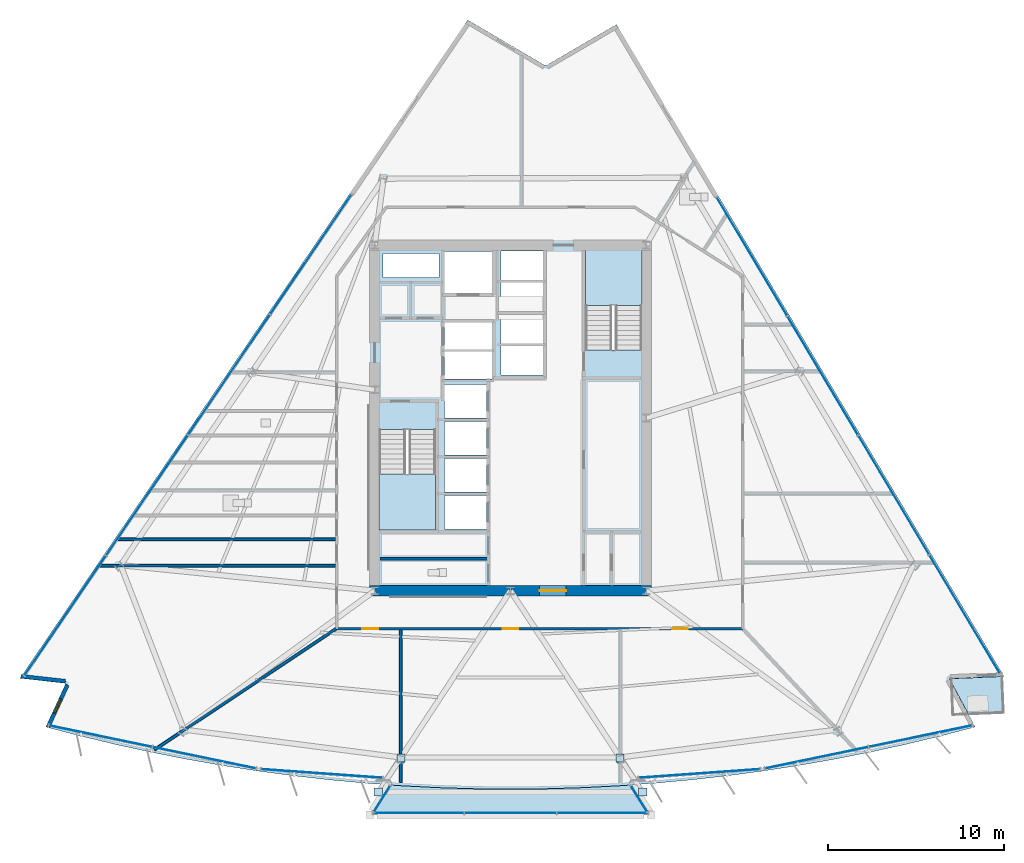
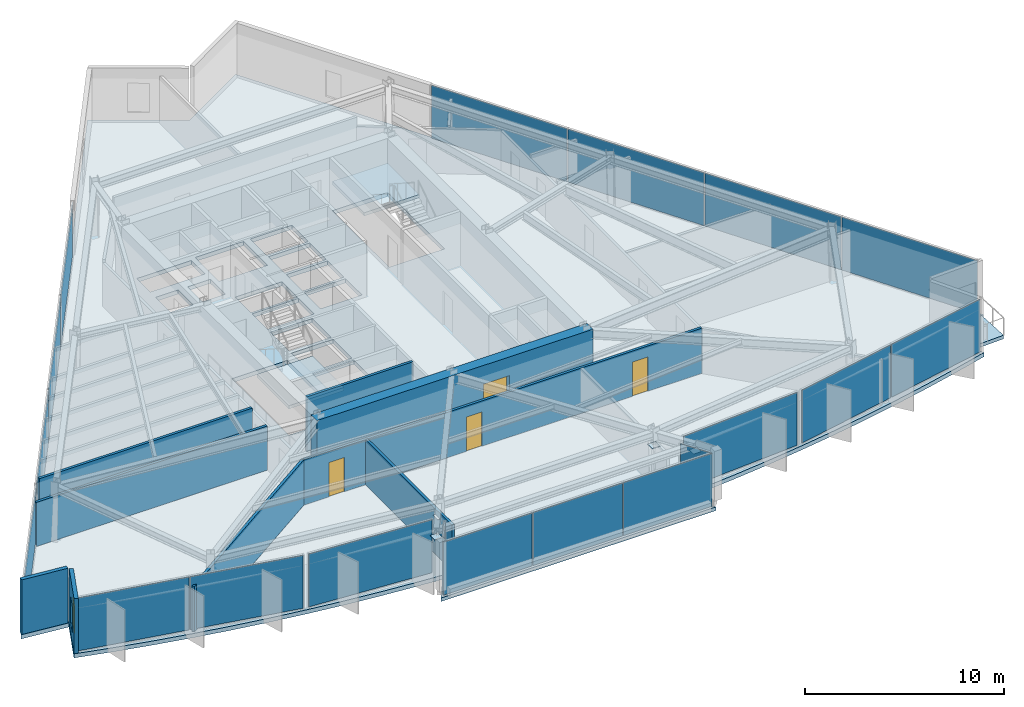
# One storey, part 7 of 15: 23 plates, 9 walls, 5 slabs, 4 doors, 1 window, 5 openings, 11 elements without a shape of their own.
"""IFC4 building model written with IfcOpenShell, lengths in metres."""

from ifc_helpers import new_model, si_unit, direction, frame, frame_2d, origin, origin_2d, place, context, subcontext, project, spatial, polyline, rectangle, outline, extrude, material, layer, layer_set, type_object, element, fill, aggregate, save


model = new_model("IFC4")

# Units and contexts
model_context = context("Model", 3, precision=1e-05, world=origin(), true_north=direction((0.0, 1.0)))
body_context = subcontext(model_context, "Body", "Model", "MODEL_VIEW")
ifc_project = project(units=[si_unit("LENGTHUNIT", "METRE"), si_unit("AREAUNIT", "SQUARE_METRE"), si_unit("VOLUMEUNIT", "CUBIC_METRE"), si_unit("PLANEANGLEUNIT", "RADIAN"), si_unit("MASSUNIT", "GRAM", prefix="KILO")], contexts=[model_context])

# Site, building, storey
site_placement = place(None, origin())
site = spatial("IfcSite", under=ifc_project, at=site_placement, CompositionType="ELEMENT")
building_placement = place(site_placement, origin())
building = spatial("IfcBuilding", under=site, at=building_placement, Name="Savorim Split Tower", CompositionType="ELEMENT")
storey_placement = place(building_placement, frame((0.0, 0.0, 114.89990234375)))
storey = spatial("IfcBuildingStorey", under=building, at=storey_placement, Name="L30", CompositionType="ELEMENT", Elevation=114.89990234375)

# Curtain wall, plates
ifc_material_1 = material(Name="Dark Ceramic-Fritted Insulated Glass", Category="glass")
curtain_wall_type_1 = type_object("IfcCurtainWallType", Name="CW-TWR-FRIT-A", PredefinedType="NOTDEFINED", material=ifc_material_1)
curtain_wall_1_placement = place(storey_placement, origin())
curtain_wall_1 = element("IfcCurtainWall", 1, at=curtain_wall_1_placement, inside=storey, type_object=curtain_wall_type_1, Name="L30 Curtain Wall CW-L30-SF1A", PredefinedType="NOTDEFINED")
ifc_layer_1 = layer(ifc_material_1, 0.028076171875)
ifc_layer_set_1 = layer_set([ifc_layer_1], Name="CWP-FRITA-28")
plate_type_1 = type_object("IfcPlateType", Name="CWP-FRITA-28", PredefinedType="CURTAIN_PANEL", material=ifc_layer_set_1)
plate_1_placement = place(storey_placement, frame((-23.2548828125, -17.645751953125, 0.05517578125), z_axis=(0.0, 0.0, 1.0), x_axis=(0.979133868491, -0.203216307351, 0.0)))
plate_1 = element("IfcPlate", 2, at=plate_1_placement, type_object=plate_type_1, Name="CW-02 panel 1.1", PredefinedType="CURTAIN_PANEL", context=body_context, shape_type="SweptSolid", body=[
    extrude(rectangle(XDim=5.952880859375, YDim=0.028076171875, at=origin_2d()), origin(), (0.0, 0.0, 1.0), 3.239990234375),
])
plate_2_placement = place(storey_placement, frame((-17.362548828125, -18.86865234375, 0.05517578125), z_axis=(0.0, 0.0, 1.0), x_axis=(0.979133868491, -0.203216307351, 0.0)))
plate_2 = element("IfcPlate", 3, at=plate_2_placement, type_object=plate_type_1, Name="CW-02 panel 2.1", PredefinedType="CURTAIN_PANEL", context=body_context, shape_type="SweptSolid", body=[
    extrude(rectangle(XDim=5.952880859375, YDim=0.028076171875, at=origin_2d()), origin(), (0.0, 0.0, 1.0), 3.239990234375),
])
aggregate(curtain_wall_1, [plate_1, plate_2])

# Curtain wall, plate
curtain_wall_2_placement = place(storey_placement, origin())
curtain_wall_2 = element("IfcCurtainWall", 4, at=curtain_wall_2_placement, inside=storey, type_object=curtain_wall_type_1, Name="L30 Curtain Wall CW-L30-SF2A", PredefinedType="NOTDEFINED")
plate_3_placement = place(storey_placement, frame((-10.7119140625, -19.762451171875, 0.05517578125), z_axis=(0.0, 0.0, 1.0), x_axis=(0.997437115176, -0.071548593758, 0.0)))
plate_3 = element("IfcPlate", 5, at=plate_3_placement, type_object=plate_type_1, Name="CW-02 panel 1.1", PredefinedType="CURTAIN_PANEL", context=body_context, shape_type="SweptSolid", body=[
    extrude(rectangle(XDim=6.869384765625, YDim=0.028076171875, at=origin_2d()), origin(), (0.0, 0.0, 1.0), 3.239990234375),
])
aggregate(curtain_wall_2, [plate_3])

curtain_wall_3_placement = place(storey_placement, origin())
curtain_wall_3 = element("IfcCurtainWall", 6, at=curtain_wall_3_placement, inside=storey, type_object=curtain_wall_type_1, Name="L30 Curtain Wall CW-L30-SF3A", PredefinedType="NOTDEFINED")
plate_4_placement = place(storey_placement, frame((10.7119140625, -19.762451171875, 0.05517578125), z_axis=(0.0, 0.0, 1.0), x_axis=(0.997437115176, 0.071548593758, 0.0)))
plate_4 = element("IfcPlate", 7, at=plate_4_placement, type_object=plate_type_1, Name="CW-02 panel 1.1", PredefinedType="CURTAIN_PANEL", context=body_context, shape_type="SweptSolid", body=[
    extrude(rectangle(XDim=6.869384765625, YDim=0.028076171875, at=origin_2d()), origin(), (0.0, 0.0, 1.0), 3.239990234375),
])
aggregate(curtain_wall_3, [plate_4])

# Curtain wall, plates
curtain_wall_4_placement = place(storey_placement, origin())
curtain_wall_4 = element("IfcCurtainWall", 8, at=curtain_wall_4_placement, inside=storey, type_object=curtain_wall_type_1, Name="L30 Curtain Wall CW-L30-SF4A", PredefinedType="NOTDEFINED")
plate_5_placement = place(storey_placement, frame((17.362548828125, -18.86865234375, 0.05517578125), z_axis=(0.0, 0.0, 1.0), x_axis=(0.979133868491, 0.203216307351, 0.0)))
plate_5 = element("IfcPlate", 9, at=plate_5_placement, type_object=plate_type_1, Name="CW-02 panel 1.1", PredefinedType="CURTAIN_PANEL", context=body_context, shape_type="SweptSolid", body=[
    extrude(rectangle(XDim=5.952880859375, YDim=0.028076171875, at=origin_2d()), origin(), (0.0, 0.0, 1.0), 3.239990234375),
])
plate_6_placement = place(storey_placement, frame((23.2548828125, -17.645751953125, 0.05517578125), z_axis=(0.0, 0.0, 1.0), x_axis=(0.979133868491, 0.203216307351, 0.0)))
plate_6 = element("IfcPlate", 10, at=plate_6_placement, type_object=plate_type_1, Name="CW-02 panel 2.1", PredefinedType="CURTAIN_PANEL", context=body_context, shape_type="SweptSolid", body=[
    extrude(rectangle(XDim=5.952880859375, YDim=0.028076171875, at=origin_2d()), origin(), (0.0, 0.0, 1.0), 3.239990234375),
])
aggregate(curtain_wall_4, [plate_5, plate_6])

curtain_wall_5_placement = place(storey_placement, origin())
curtain_wall_5 = element("IfcCurtainWall", 11, at=curtain_wall_5_placement, inside=storey, type_object=curtain_wall_type_1, Name="L30 Curtain Wall CW-L30-EAST", PredefinedType="NOTDEFINED")
plate_7_placement = place(storey_placement, frame((25.752197265625, -10.72705078125, 0.05517578125), z_axis=(0.0, 0.0, 1.0), x_axis=(-0.51109301502, 0.859525409745, 0.0)))
plate_7 = element("IfcPlate", 12, at=plate_7_placement, type_object=plate_type_1, Name="CW-02 panel 1.1", PredefinedType="CURTAIN_PANEL", context=body_context, shape_type="SweptSolid", body=[
    extrude(rectangle(XDim=7.777587890625, YDim=0.028076171875, at=origin_2d()), origin(), (0.0, 0.0, 1.0), 3.239990234375),
])
plate_8_placement = place(storey_placement, frame((21.735595703125, -3.972412109375, 0.05517578125), z_axis=(0.0, 0.0, 1.0), x_axis=(-0.51109301502, 0.859525409745, 0.0)))
plate_8 = element("IfcPlate", 13, at=plate_8_placement, type_object=plate_type_1, Name="CW-02 panel 2.1", PredefinedType="CURTAIN_PANEL", context=body_context, shape_type="SweptSolid", body=[
    extrude(rectangle(XDim=7.81005859375, YDim=0.028076171875, at=origin_2d()), origin(), (0.0, 0.0, 1.0), 3.239990234375),
])
plate_9_placement = place(storey_placement, frame((17.710693359375, 2.79638671875, 0.05517578125), z_axis=(0.0, 0.0, 1.0), x_axis=(-0.51109301502, 0.859525409745, 0.0)))
plate_9 = element("IfcPlate", 14, at=plate_9_placement, type_object=plate_type_1, Name="CW-02 panel 3.1", PredefinedType="CURTAIN_PANEL", context=body_context, shape_type="SweptSolid", body=[
    extrude(rectangle(XDim=7.81005859375, YDim=0.028076171875, at=origin_2d()), origin(), (0.0, 0.0, 1.0), 3.239990234375),
])
plate_10_placement = place(storey_placement, frame((13.6943359375, 9.55126953125, 0.05517578125), z_axis=(0.0, 0.0, 1.0), x_axis=(-0.51109301502, 0.859525409745, 0.0)))
plate_10 = element("IfcPlate", 15, at=plate_10_placement, type_object=plate_type_1, Name="CW-02 panel 4.1", PredefinedType="CURTAIN_PANEL", context=body_context, shape_type="SweptSolid", body=[
    extrude(rectangle(XDim=7.777587890625, YDim=0.028076171875, at=origin_2d()), origin(), (0.0, 0.0, 1.0), 3.239990234375),
])
aggregate(curtain_wall_5, [plate_7, plate_8, plate_9, plate_10])

curtain_wall_6_placement = place(storey_placement, origin())
curtain_wall_6 = element("IfcCurtainWall", 16, at=curtain_wall_6_placement, inside=storey, type_object=curtain_wall_type_1, Name="L30 Curtain Wall CW-L30-WEST", PredefinedType="NOTDEFINED")
plate_11_placement = place(storey_placement, frame((-11.3193359375, 9.67529296875, 0.05517578125), z_axis=(0.0, 0.0, 1.0), x_axis=(-0.562466669628, -0.826819959579, 0.0)))
plate_11 = element("IfcPlate", 17, at=plate_11_placement, type_object=plate_type_1, Name="CW-02 panel 1.1", PredefinedType="CURTAIN_PANEL", context=body_context, shape_type="SweptSolid", body=[
    extrude(rectangle(XDim=8.174072265625, YDim=0.028076171875, at=origin_2d()), origin(), (0.0, 0.0, 1.0), 3.239990234375),
])
plate_12_placement = place(storey_placement, frame((-15.962646484375, 2.849609375, 0.05517578125), z_axis=(0.0, 0.0, 1.0), x_axis=(-0.562466669628, -0.826819959579, 0.0)))
plate_12 = element("IfcPlate", 18, at=plate_12_placement, type_object=plate_type_1, Name="CW-02 panel 2.1", PredefinedType="CURTAIN_PANEL", context=body_context, shape_type="SweptSolid", body=[
    extrude(rectangle(XDim=8.20654296875, YDim=0.028076171875, at=origin_2d()), origin(), (0.0, 0.0, 1.0), 3.239990234375),
])
plate_13_placement = place(storey_placement, frame((-20.615234375, -3.989501953125, 0.05517578125), z_axis=(0.0, 0.0, 1.0), x_axis=(-0.562466669628, -0.826819959579, 0.0)))
plate_13 = element("IfcPlate", 19, at=plate_13_placement, type_object=plate_type_1, Name="CW-02 panel 3.1", PredefinedType="CURTAIN_PANEL", context=body_context, shape_type="SweptSolid", body=[
    extrude(rectangle(XDim=8.20654296875, YDim=0.028076171875, at=origin_2d()), origin(), (0.0, 0.0, 1.0), 3.239990234375),
])
plate_14_placement = place(storey_placement, frame((-25.258544921875, -10.815185546875, 0.05517578125), z_axis=(0.0, 0.0, 1.0), x_axis=(-0.562466669628, -0.826819959579, 0.0)))
plate_14 = element("IfcPlate", 20, at=plate_14_placement, type_object=plate_type_1, Name="CW-02 panel 4.1", PredefinedType="CURTAIN_PANEL", context=body_context, shape_type="SweptSolid", body=[
    extrude(rectangle(XDim=8.174072265625, YDim=0.028076171875, at=origin_2d()), origin(), (0.0, 0.0, 1.0), 3.239990234375),
])
aggregate(curtain_wall_6, [plate_11, plate_12, plate_13, plate_14])

curtain_wall_type_2 = type_object("IfcCurtainWallType", Name="CW-BAY-LOUNGE", PredefinedType="NOTDEFINED", material=ifc_material_1)
curtain_wall_7_placement = place(storey_placement, origin())
curtain_wall_7 = element("IfcCurtainWall", 21, at=curtain_wall_7_placement, inside=storey, type_object=curtain_wall_type_2, Name="L30 Curtain Wall CW-L30-BAYF", PredefinedType="NOTDEFINED")
ifc_material_2 = material(Name="Low-E Operable Double Glazing", Category="glass")
ifc_layer_2 = layer(ifc_material_2, 0.031982421875)
ifc_layer_set_2 = layer_set([ifc_layer_2], Name="CWP-POD-32")
plate_type_2 = type_object("IfcPlateType", Name="CWP-POD-32", PredefinedType="CURTAIN_PANEL", material=ifc_layer_set_2)
plate_15_placement = place(storey_placement, frame((-5.215087890625, -21.99951171875, 0.05517578125), z_axis=(0.0, 0.0, 1.0), x_axis=(1.0, 0.0, 0.0)))
plate_15 = element("IfcPlate", 22, at=plate_15_placement, type_object=plate_type_2, Name="CW-04 panel 1.1", PredefinedType="CURTAIN_PANEL", context=body_context, shape_type="SweptSolid", body=[
    extrude(rectangle(XDim=5.1337890625, YDim=0.031982421875, at=origin_2d()), origin(), (0.0, 0.0, 1.0), 3.239990234375),
])
plate_16_placement = place(storey_placement, frame((0.0, -21.99951171875, 0.05517578125), z_axis=(0.0, 0.0, 1.0), x_axis=(1.0, 0.0, 0.0)))
plate_16 = element("IfcPlate", 23, at=plate_16_placement, type_object=plate_type_2, Name="CW-04 panel 2.1", PredefinedType="CURTAIN_PANEL", context=body_context, shape_type="SweptSolid", body=[
    extrude(rectangle(XDim=5.166259765625, YDim=0.031982421875, at=origin_2d()), origin(), (0.0, 0.0, 1.0), 3.239990234375),
])
plate_17_placement = place(storey_placement, frame((5.215087890625, -21.99951171875, 0.05517578125), z_axis=(0.0, 0.0, 1.0), x_axis=(1.0, 0.0, 0.0)))
plate_17 = element("IfcPlate", 24, at=plate_17_placement, type_object=plate_type_2, Name="CW-04 panel 3.1", PredefinedType="CURTAIN_PANEL", context=body_context, shape_type="SweptSolid", body=[
    extrude(rectangle(XDim=5.1337890625, YDim=0.031982421875, at=origin_2d()), origin(), (0.0, 0.0, 1.0), 3.239990234375),
])
aggregate(curtain_wall_7, [plate_15, plate_16, plate_17])

# Curtain wall, plate
curtain_wall_8_placement = place(storey_placement, origin())
curtain_wall_8 = element("IfcCurtainWall", 25, at=curtain_wall_8_placement, inside=storey, type_object=curtain_wall_type_2, Name="L30 Curtain Wall CW-L30-BAYW", PredefinedType="NOTDEFINED")
plate_18_placement = place(storey_placement, frame((-7.28564453125, -21.20166015625, 0.05517578125), z_axis=(0.0, 0.0, 1.0), x_axis=(-0.531384496432, -0.847130755522, 0.0)))
plate_18 = element("IfcPlate", 26, at=plate_18_placement, type_object=plate_type_2, Name="CW-04 panel 1.1", PredefinedType="CURTAIN_PANEL", context=body_context, shape_type="SweptSolid", body=[
    extrude(rectangle(XDim=1.705078125, YDim=0.031982421875, at=origin_2d()), origin(), (0.0, 0.0, 1.0), 3.239990234375),
])
aggregate(curtain_wall_8, [plate_18])

curtain_wall_9_placement = place(storey_placement, origin())
curtain_wall_9 = element("IfcCurtainWall", 27, at=curtain_wall_9_placement, inside=storey, type_object=curtain_wall_type_2, Name="L30 Curtain Wall CW-L30-BAYE", PredefinedType="NOTDEFINED")
plate_19_placement = place(storey_placement, frame((7.28564453125, -21.20166015625, 0.05517578125), z_axis=(0.0, 0.0, 1.0), x_axis=(-0.531384496432, 0.847130755522, 0.0)))
plate_19 = element("IfcPlate", 28, at=plate_19_placement, type_object=plate_type_2, Name="CW-04 panel 1.1", PredefinedType="CURTAIN_PANEL", context=body_context, shape_type="SweptSolid", body=[
    extrude(rectangle(XDim=1.705078125, YDim=0.031982421875, at=origin_2d()), origin(), (0.0, 0.0, 1.0), 3.239990234375),
])
aggregate(curtain_wall_9, [plate_19])

# Plates
ifc_material_3 = material(Name="Steel S460", Category="steel")
ifc_layer_3 = layer(ifc_material_3, 0.02490234375)
ifc_layer_set_3 = layer_set([ifc_layer_3], Name="PLT-NODE-CN1")
plate_type_3 = type_object("IfcPlateType", Name="PLT-NODE-CN1", PredefinedType="SHEET", material=ifc_layer_set_3)
for number, where, z_axis, x_axis, name in (
    (29, (-6.21728515625, -18.8955078125, 2.437744140625), (0.0, 0.0, 1.0), (1.0, 0.0, 0.0), "L30 Bay Strut Column Gusset Plate 1"),
    (30, (-7.49951171875, -20.8193359375, 2.8076171875), (0.0, 0.0, 1.0), (1.0, 0.0, 0.0), "L30 Bay Strut Tip Gusset Plate 1"),
    (31, (6.21728515625, -18.8955078125, 2.437744140625), (0.0, 0.0, 1.0), (1.0, 0.0, 0.0), "L30 Bay Strut Column Gusset Plate 2"),
    (32, (7.49951171875, -20.8193359375, 2.8076171875), (0.0, 0.0, 1.0), (1.0, 0.0, 0.0), "L30 Bay Strut Tip Gusset Plate 2"),
):
    element("IfcPlate", number, at=place(storey_placement, frame(where, z_axis=z_axis, x_axis=x_axis)), inside=storey, type_object=plate_type_3, Name=name, PredefinedType="SHEET", context=body_context, shape_type="SweptSolid", body=[
        extrude(rectangle(XDim=0.4599609375, YDim=0.4599609375, at=origin_2d()), origin(), (0.0, 0.0, 1.0), 0.02490234375),
    ])

# Slabs
ifc_material_4 = material(Name="Concrete C50/60", Category="concrete")
ifc_layer_4 = layer(ifc_material_4, 0.219970703125)
ifc_layer_set_4 = layer_set([ifc_layer_4], Name="SLB-BAL-220")
slab_type_1 = type_object("IfcSlabType", Name="SLB-BAL-220", PredefinedType="FLOOR", material=ifc_layer_set_4)
slab_1_placement = place(storey_placement, frame((0.0, 0.0, -0.219970703125)))
element("IfcSlab", 33, at=slab_1_placement, inside=storey, type_object=slab_type_1, Name="L30 Cantilevered Shared Kitchen Lounge Slab", PredefinedType="FLOOR", context=body_context, shape_type="SweptSolid", body=[
    extrude(outline(polyline([(6.906005859375, -20.408203125), (6.150390625, -20.46240234375), (4.101806640625, -20.5673828125), (2.05126953125, -20.630126953125), (0.0, -20.651123046875), (-2.05126953125, -20.630126953125), (-4.101806640625, -20.5673828125), (-6.150390625, -20.46240234375), (-6.906005859375, -20.408203125), (-7.967041015625, -22.099609375), (7.967041015625, -22.099609375), (6.906005859375, -20.408203125)])), origin(), (0.0, 0.0, 1.0), 0.219970703125),
])
slab_2_placement = place(storey_placement, frame((0.0, 0.0, -0.219970703125)))
element("IfcSlab", 34, at=slab_2_placement, inside=storey, type_object=slab_type_1, Name="L30 Notched Corner Planted Tree Balcony Slab", PredefinedType="FLOOR", context=body_context, shape_type="SweptSolid", body=[
    extrude(outline(polyline([(27.868896484375, -14.263427734375), (25.00537109375, -14.38525390625), (25.01513671875, -14.616943359375), (25.96728515625, -16.39111328125), (27.955810546875, -16.306396484375), (27.868896484375, -14.263427734375)])), origin(), (0.0, 0.0, 1.0), 0.219970703125),
])

# Stair, slab
stair_type = type_object("IfcStairType", Name="STR-DOG-3600", PredefinedType="HALF_TURN_STAIR", material=ifc_material_4)
stair_1_placement = place(storey_placement, origin())
stair_1 = element("IfcStair", 35, at=stair_1_placement, inside=storey, type_object=stair_type, Name="L30 Core Protected Exit Stair ST-1", PredefinedType="HALF_TURN_STAIR")
ifc_layer_5 = layer(ifc_material_4, 0.199951171875)
ifc_layer_set_5 = layer_set([ifc_layer_5], Name="SLB-LND-200")
slab_type_2 = type_object("IfcSlabType", Name="SLB-LND-200", PredefinedType="LANDING", material=ifc_layer_set_5)
slab_3_placement = place(storey_placement, frame((0.0, 0.0, 1.60009765625)))
slab_3 = element("IfcSlab", 36, at=slab_3_placement, type_object=slab_type_2, Name="ST-1 landing 1", PredefinedType="LANDING", context=body_context, shape_type="SweptSolid", body=[
    extrude(outline(polyline([(-7.449951171875, -2.77001953125), (-7.449951171875, -5.949951171875), (-4.25, -5.949951171875), (-4.25, -2.77001953125), (-7.449951171875, -2.77001953125)])), origin(), (0.0, 0.0, 1.0), 0.199951171875),
])
aggregate(stair_1, [slab_3])

stair_2_placement = place(storey_placement, origin())
stair_2 = element("IfcStair", 37, at=stair_2_placement, inside=storey, type_object=stair_type, Name="L30 Core Protected Exit Stair ST-2", PredefinedType="HALF_TURN_STAIR")
slab_4_placement = place(storey_placement, frame((0.0, 0.0, 1.60009765625)))
slab_4 = element("IfcSlab", 38, at=slab_4_placement, type_object=slab_type_2, Name="ST-2 landing 1", PredefinedType="LANDING", context=body_context, shape_type="SweptSolid", body=[
    extrude(outline(polyline([(7.449951171875, 6.77001953125), (7.449951171875, 9.949951171875), (4.25, 9.949951171875), (4.25, 6.77001953125), (7.449951171875, 6.77001953125)])), origin(), (0.0, 0.0, 1.0), 0.199951171875),
])
aggregate(stair_2, [slab_4])

# Slab
ifc_layer_6 = layer(ifc_material_4, 0.25)
ifc_layer_set_6 = layer_set([ifc_layer_6], Name="SLB-TWR-250")
slab_type_3 = type_object("IfcSlabType", Name="SLB-TWR-250", PredefinedType="FLOOR", material=ifc_layer_set_6)
slab_5_placement = place(storey_placement, frame((0.0, 0.0, -0.25)))
element("IfcSlab", 39, at=slab_5_placement, inside=storey, type_object=slab_type_3, Name="L30 Structural Floor Slab", PredefinedType="FLOOR", context=body_context, shape_type="SweptSolid", body=[
    extrude(outline(polyline([(-26.355224609375, -17.124755859375), (-24.37060546875, -17.643798828125), (-22.375732421875, -18.1220703125), (-20.37158203125, -18.5595703125), (-18.358642578125, -18.955810546875), (-16.33837890625, -19.310791015625), (-14.31103515625, -19.62451171875), (-12.277587890625, -19.896484375), (-10.2392578125, -20.126953125), (-8.196533203125, -20.315673828125), (-6.150390625, -20.46240234375), (-4.101806640625, -20.5673828125), (-2.05126953125, -20.630126953125), (0.0, -20.651123046875), (2.05126953125, -20.630126953125), (4.101806640625, -20.5673828125), (6.150390625, -20.46240234375), (8.196533203125, -20.315673828125), (10.2392578125, -20.126953125), (12.277587890625, -19.896484375), (14.31103515625, -19.62451171875), (16.33837890625, -19.310791015625), (18.358642578125, -18.955810546875), (20.37158203125, -18.5595703125), (22.375732421875, -18.1220703125), (24.37060546875, -17.643798828125), (26.355224609375, -17.124755859375), (24.88525390625, -14.38525390625), (27.988525390625, -14.25341796875), (6.0078125, 22.712890625), (1.9951171875, 20.374267578125), (-2.420654296875, 22.969482421875), (-27.81689453125, -14.362548828125), (-25.21923828125, -14.652587890625), (-26.355224609375, -17.124755859375)]), holes=[polyline([(-7.449951171875, -0.25390625), (-7.449951171875, -5.949951171875), (-4.25, -5.949951171875), (-4.25, -0.25390625), (-7.449951171875, -0.25390625)]), polyline([(7.449951171875, 4.25390625), (7.449951171875, 9.949951171875), (4.25, 9.949951171875), (4.25, 4.25390625), (7.449951171875, 4.25390625)]), polyline([(-3.75, -5.89990234375), (-1.35009765625, -5.89990234375), (-1.35009765625, -4.0), (-3.75, -4.0), (-3.75, -5.89990234375)]), polyline([(-3.75, -3.800048828125), (-1.35009765625, -3.800048828125), (-1.35009765625, -1.89990234375), (-3.75, -1.89990234375), (-3.75, -3.800048828125)]), polyline([(-3.75, -1.699951171875), (-1.35009765625, -1.699951171875), (-1.35009765625, 0.199951171875), (-3.75, 0.199951171875), (-3.75, -1.699951171875)]), polyline([(-3.75, 0.39990234375), (-1.35009765625, 0.39990234375), (-1.35009765625, 2.300048828125), (-3.75, 2.300048828125), (-3.75, 0.39990234375)]), polyline([(-0.550048828125, 2.830078125), (1.85009765625, 2.830078125), (1.85009765625, 4.469970703125), (-0.550048828125, 4.469970703125), (-0.550048828125, 2.830078125)]), polyline([(-0.550048828125, 4.6298828125), (1.85009765625, 4.6298828125), (1.85009765625, 6.27001953125), (-0.550048828125, 6.27001953125), (-0.550048828125, 4.6298828125)]), polyline([(-0.550048828125, 6.429931640625), (1.85009765625, 6.429931640625), (1.85009765625, 8.070068359375), (-0.550048828125, 8.070068359375), (-0.550048828125, 6.429931640625)]), polyline([(-0.550048828125, 8.22998046875), (1.85009765625, 8.22998046875), (1.85009765625, 9.8701171875), (-0.550048828125, 9.8701171875), (-0.550048828125, 8.22998046875)]), polyline([(-3.75, 2.60009765625), (-1.050048828125, 2.60009765625), (-1.050048828125, 4.159912109375), (-3.75, 4.159912109375), (-3.75, 2.60009765625)]), polyline([(-3.75, 4.280029296875), (-1.050048828125, 4.280029296875), (-1.050048828125, 5.840087890625), (-3.75, 5.840087890625), (-3.75, 4.280029296875)]), polyline([(-3.75, 7.449951171875), (-0.949951171875, 7.449951171875), (-0.949951171875, 9.85009765625), (-3.75, 9.85009765625), (-3.75, 7.449951171875)]), polyline([(-7.219970703125, 6.320068359375), (-5.919921875, 6.320068359375), (-5.919921875, 7.820068359375), (-7.219970703125, 7.820068359375), (-7.219970703125, 6.320068359375)]), polyline([(-5.3798828125, 6.320068359375), (-4.050048828125, 6.320068359375), (-4.050048828125, 7.820068359375), (-5.3798828125, 7.820068359375), (-5.3798828125, 6.320068359375)]), polyline([(-7.219970703125, 8.360107421875), (-4.050048828125, 8.360107421875), (-4.050048828125, 9.719970703125), (-7.219970703125, 9.719970703125), (-7.219970703125, 8.360107421875)])]), origin(), (0.0, 0.0, 1.0), 0.25),
])

# Wall, opening, door
ifc_material_5 = material(Name="Concrete C60/75", Category="concrete")
ifc_layer_7 = layer(ifc_material_5, 0.60009765625)
ifc_layer_set_7 = layer_set([ifc_layer_7], Name="WAL-COR-SH600")
wall_type_1 = type_object("IfcWallType", Name="WAL-COR-SH600", PredefinedType="SHEAR", material=ifc_layer_set_7)
wall_1_placement = place(storey_placement, frame((-8.0, -9.39990234375, 0.0), z_axis=(0.0, 0.0, 1.0), x_axis=(1.0, 0.0, 0.0)))
wall_1 = element("IfcWall", 40, at=wall_1_placement, inside=storey, type_object=wall_type_1, Name="L30 Offset Core South Shear Wall", PredefinedType="SHEAR", context=body_context, shape_type="SweptSolid", body=[
    extrude(rectangle(XDim=16.0, YDim=0.60009765625, at=frame_2d((8.0, 0.0))), origin(), (0.0, 0.0, 1.0), 3.35009765625),
])
opening_1_placement = place(wall_1_placement, frame((9.64990234375, 0.0, 0.0)))
opening_1 = element("IfcOpeningElement", 41, at=opening_1_placement, cuts=wall_1, Name="Opening DI-02", PredefinedType="OPENING", context=body_context, shape_type="SweptSolid", body=[
    extrude(rectangle(XDim=1.5, YDim=2.199951171875, at=frame_2d((0.75, 1.10009765625))), frame((0.0, 0.31005859375, 0.0), z_axis=(0.0, -1.0, 0.0), x_axis=(1.0, 0.0, 0.0)), (0.0, 0.0, 1.0), 0.6201171875),
])
ifc_material_6 = material(Name="Timber Fire Door Leaf", Category="wood")
door_type_1 = type_object("IfcDoorType", Name="DOR-DBL-1500", OperationType="NOTDEFINED", PredefinedType="DOOR", material=ifc_material_6)
door_1_placement = place(opening_1_placement, origin())
door_1 = element("IfcDoor", 42, at=door_1_placement, inside=storey, type_object=door_type_1, Name="DOR-L30-COR-LLOB - L30 Lift Lobby Main Rated Door", OperationType="DOUBLE_DOOR_SINGLE_SWING", OverallHeight=2.199951171875, OverallWidth=1.5, PredefinedType="DOOR", context=body_context, shape_type="SweptSolid", body=[
    extrude(rectangle(XDim=1.5, YDim=2.199951171875, at=frame_2d((0.75, 1.10009765625))), frame((0.0, 0.02490234375, 0.0), z_axis=(0.0, -1.0, 0.0), x_axis=(1.0, 0.0, 0.0)), (0.0, 0.0, 1.0), 0.050048828125),
])
fill(opening_1, door_1)

# Wall
ifc_material_7 = material(Name="Precast concrete C40/50", Category="concrete")
ifc_layer_8 = layer(ifc_material_7, 0.219970703125)
ifc_layer_set_8 = layer_set([ifc_layer_8], Name="WAL-EXT-CRN220")
wall_type_2 = type_object("IfcWallType", Name="WAL-EXT-CRN220", PredefinedType="SOLIDWALL", material=ifc_layer_set_8)
wall_2_placement = place(storey_placement, frame((-25.24560546875, -14.52880859375, 0.0), z_axis=(0.0, 0.0, 1.0), x_axis=(-0.993831926713, 0.110896805395, 0.0)))
element("IfcWall", 43, at=wall_2_placement, inside=storey, type_object=wall_type_2, Name="L30 Notched Corner Facade Wall SW1", PredefinedType="SOLIDWALL", context=body_context, shape_type="SweptSolid", body=[
    extrude(rectangle(XDim=2.533935546875, YDim=0.219970703125, at=frame_2d((1.26708984375, 0.0))), origin(), (0.0, 0.0, 1.0), 3.35009765625),
])

# Wall, opening, window
wall_3_placement = place(storey_placement, frame((-26.2294921875, -17.138671875, 0.0), z_axis=(0.0, 0.0, 1.0), x_axis=(0.417498108462, 0.908677791866, 0.0)))
wall_3 = element("IfcWall", 44, at=wall_3_placement, inside=storey, type_object=wall_type_2, Name="L30 Notched Corner Facade Wall SW", PredefinedType="SOLIDWALL", context=body_context, shape_type="SweptSolid", body=[
    extrude(rectangle(XDim=2.640869140625, YDim=0.219970703125, at=frame_2d((1.3203125, 0.0))), origin(), (0.0, 0.0, 1.0), 3.35009765625),
])
opening_2_placement = place(wall_3_placement, frame((0.870361328125, 0.0, 0.6201171875)))
opening_2 = element("IfcOpeningElement", 45, at=opening_2_placement, cuts=wall_3, Name="Opening WN-10", PredefinedType="OPENING", context=body_context, shape_type="SweptSolid", body=[
    extrude(rectangle(XDim=0.89990234375, YDim=1.60009765625, at=frame_2d((0.449951171875, 0.800048828125))), frame((0.0, 0.119873046875, 0.0), z_axis=(0.0, -1.0, 0.0), x_axis=(1.0, 0.0, 0.0)), (0.0, 0.0, 1.0), 0.239990234375),
])
window_type = type_object("IfcWindowType", Name="WIN-TWR-900x1600", PartitioningType="SINGLE_PANEL", PredefinedType="WINDOW", material=ifc_material_2)
window_placement = place(opening_2_placement, origin())
window = element("IfcWindow", 46, at=window_placement, inside=storey, type_object=window_type, Name="L30 Operable Corner Window SW", OverallHeight=1.60009765625, OverallWidth=0.89990234375, PartitioningType="SINGLE_PANEL", PredefinedType="WINDOW", context=body_context, shape_type="SweptSolid", body=[
    extrude(rectangle(XDim=0.89990234375, YDim=1.60009765625, at=frame_2d((0.449951171875, 0.800048828125))), frame((0.0, 0.030029296875, 0.0), z_axis=(0.0, -1.0, 0.0), x_axis=(1.0, 0.0, 0.0)), (0.0, 0.0, 1.0), 0.06005859375),
])
fill(opening_2, window)

# Wall
ifc_material_8 = material(Name="Acoustic Gypsum Partition Board")
ifc_layer_9 = layer(ifc_material_8, 0.14990234375)
ifc_layer_set_9 = layer_set([ifc_layer_9], Name="WAL-PAR-150")
wall_type_3 = type_object("IfcWallType", Name="WAL-PAR-150", PredefinedType="PARTITIONING", material=ifc_layer_set_9)
wall_4_placement = place(storey_placement, frame((-7.39501953125, -7.580078125, 0.0), z_axis=(0.0, 0.0, 1.0), x_axis=(1.0, 0.0, 0.0)))
element("IfcWall", 47, at=wall_4_placement, inside=storey, type_object=wall_type_3, Name="L30 Partition W-L30-K2H", PredefinedType="PARTITIONING", context=body_context, shape_type="SweptSolid", body=[
    extrude(rectangle(XDim=6.14501953125, YDim=0.14990234375, at=frame_2d((3.072509765625, 0.0))), origin(), (0.0, 0.0, 1.0), 3.35009765625),
])

# Wall, openings, doors
wall_5_placement = place(storey_placement, frame((13.179931640625, -11.56005859375, 0.0), z_axis=(0.0, 0.0, 1.0), x_axis=(-1.0, 0.0, 0.0)))
wall_5 = element("IfcWall", 48, at=wall_5_placement, inside=storey, type_object=wall_type_3, Name="L30 Partition W-L30-COR-06", PredefinedType="PARTITIONING", context=body_context, shape_type="SweptSolid", body=[
    extrude(rectangle(XDim=23.0400390625, YDim=0.14990234375, at=frame_2d((11.52001953125, 0.0))), origin(), (0.0, 0.0, 1.0), 2.775146484375),
])
opening_3_placement = place(wall_5_placement, frame((20.681884765625, 0.0, 0.0)))
opening_3 = element("IfcOpeningElement", 49, at=opening_3_placement, cuts=wall_5, Name="Opening DI-06", PredefinedType="OPENING", context=body_context, shape_type="SweptSolid", body=[
    extrude(rectangle(XDim=0.89990234375, YDim=2.10009765625, at=frame_2d((0.449951171875, 1.050048828125))), frame((0.0, 0.0849609375, 0.0), z_axis=(0.0, -1.0, 0.0), x_axis=(1.0, 0.0, 0.0)), (0.0, 0.0, 1.0), 0.169921875),
])
opening_4_placement = place(wall_5_placement, frame((12.72998046875, 0.0, 0.0)))
opening_4 = element("IfcOpeningElement", 50, at=opening_4_placement, cuts=wall_5, Name="Opening DI-06", PredefinedType="OPENING", context=body_context, shape_type="SweptSolid", body=[
    extrude(rectangle(XDim=0.89990234375, YDim=2.10009765625, at=frame_2d((0.449951171875, 1.050048828125))), frame((0.0, 0.0849609375, 0.0), z_axis=(0.0, -1.0, 0.0), x_axis=(1.0, 0.0, 0.0)), (0.0, 0.0, 1.0), 0.169921875),
])
opening_5_placement = place(wall_5_placement, frame((3.1181640625, 0.0, 0.0)))
opening_5 = element("IfcOpeningElement", 51, at=opening_5_placement, cuts=wall_5, Name="Opening DI-06", PredefinedType="OPENING", context=body_context, shape_type="SweptSolid", body=[
    extrude(rectangle(XDim=0.89990234375, YDim=2.10009765625, at=frame_2d((0.449951171875, 1.050048828125))), frame((0.0, 0.0849609375, 0.0), z_axis=(0.0, -1.0, 0.0), x_axis=(1.0, 0.0, 0.0)), (0.0, 0.0, 1.0), 0.169921875),
])
door_type_2 = type_object("IfcDoorType", Name="DOR-FIR-900", OperationType="NOTDEFINED", PredefinedType="DOOR", material=ifc_material_6)
door_2_placement = place(opening_3_placement, origin())
door_2 = element("IfcDoor", 52, at=door_2_placement, inside=storey, type_object=door_type_2, Name="DR-L30-RM08 - L30 Maker Workshop Entry Door", OperationType="SINGLE_SWING_LEFT", OverallHeight=2.10009765625, OverallWidth=0.89990234375, PredefinedType="DOOR", context=body_context, shape_type="SweptSolid", body=[
    extrude(rectangle(XDim=0.89990234375, YDim=2.10009765625, at=frame_2d((0.449951171875, 1.050048828125))), frame((0.0, 0.02490234375, 0.0), z_axis=(0.0, -1.0, 0.0), x_axis=(1.0, 0.0, 0.0)), (0.0, 0.0, 1.0), 0.050048828125),
])
fill(opening_3, door_2)
door_3_placement = place(opening_4_placement, origin())
door_3 = element("IfcDoor", 53, at=door_3_placement, inside=storey, type_object=door_type_2, Name="DR-L30-RM09 - L30 Maker Workshop Entry Door", OperationType="SINGLE_SWING_RIGHT", OverallHeight=2.10009765625, OverallWidth=0.89990234375, PredefinedType="DOOR", context=body_context, shape_type="SweptSolid", body=[
    extrude(rectangle(XDim=0.89990234375, YDim=2.10009765625, at=frame_2d((0.449951171875, 1.050048828125))), frame((0.0, 0.02490234375, 0.0), z_axis=(0.0, -1.0, 0.0), x_axis=(1.0, 0.0, 0.0)), (0.0, 0.0, 1.0), 0.050048828125),
])
fill(opening_4, door_3)
door_4_placement = place(opening_5_placement, origin())
door_4 = element("IfcDoor", 54, at=door_4_placement, inside=storey, type_object=door_type_2, Name="DR-L30-RM10 - L30 Maker Workshop Entry Door", OperationType="SINGLE_SWING_LEFT", OverallHeight=2.10009765625, OverallWidth=0.89990234375, PredefinedType="DOOR", context=body_context, shape_type="SweptSolid", body=[
    extrude(rectangle(XDim=0.89990234375, YDim=2.10009765625, at=frame_2d((0.449951171875, 1.050048828125))), frame((0.0, 0.02490234375, 0.0), z_axis=(0.0, -1.0, 0.0), x_axis=(1.0, 0.0, 0.0)), (0.0, 0.0, 1.0), 0.050048828125),
])
fill(opening_5, door_4)

# Walls
wall_6_placement = place(storey_placement, frame((-9.896240234375, -11.5576171875, 0.0), z_axis=(0.0, 0.0, 1.0), x_axis=(-0.832159529694, -0.554536308225, 0.0)))
element("IfcWall", 55, at=wall_6_placement, inside=storey, type_object=wall_type_3, Name="L30 Partition W-L30-PRAD01", PredefinedType="PARTITIONING", context=body_context, shape_type="SweptSolid", body=[
    extrude(rectangle(XDim=12.376708984375, YDim=0.14990234375, at=frame_2d((6.1884765625, 0.0))), origin(), (0.0, 0.0, 1.0), 2.775146484375),
])
wall_7_placement = place(storey_placement, frame((-6.2216796875, -11.6201171875, 0.0), z_axis=(0.0, 0.0, 1.0), x_axis=(0.0, -1.0, 0.0)))
element("IfcWall", 56, at=wall_7_placement, inside=storey, type_object=wall_type_3, Name="L30 Partition W-L30-PRAD02", PredefinedType="PARTITIONING", context=body_context, shape_type="SweptSolid", body=[
    extrude(rectangle(XDim=8.666748046875, YDim=0.14990234375, at=frame_2d((4.33349609375, 0.0))), origin(), (0.0, 0.0, 1.0), 2.775146484375),
])
wall_8_placement = place(storey_placement, frame((-9.919921875, -7.986328125, 0.0), z_axis=(0.0, 0.0, 1.0), x_axis=(-1.0, 0.0, 0.0)))
element("IfcWall", 57, at=wall_8_placement, inside=storey, type_object=wall_type_3, Name="L30 Partition W-L30-PRAD10", PredefinedType="PARTITIONING", context=body_context, shape_type="SweptSolid", body=[
    extrude(rectangle(XDim=13.353759765625, YDim=0.14990234375, at=frame_2d((6.6767578125, 0.0))), origin(), (0.0, 0.0, 1.0), 2.705078125),
])
wall_9_placement = place(storey_placement, frame((-9.919921875, -6.48681640625, 0.0), z_axis=(0.0, 0.0, 1.0), x_axis=(-1.0, 0.0, 0.0)))
element("IfcWall", 58, at=wall_9_placement, inside=storey, type_object=wall_type_3, Name="L30 Partition W-L30-SUB10", PredefinedType="PARTITIONING", context=body_context, shape_type="SweptSolid", body=[
    extrude(rectangle(XDim=12.33349609375, YDim=0.14990234375, at=frame_2d((6.166748046875, 0.0))), origin(), (0.0, 0.0, 1.0), 2.885009765625),
])

save(model, "model.ifc")
